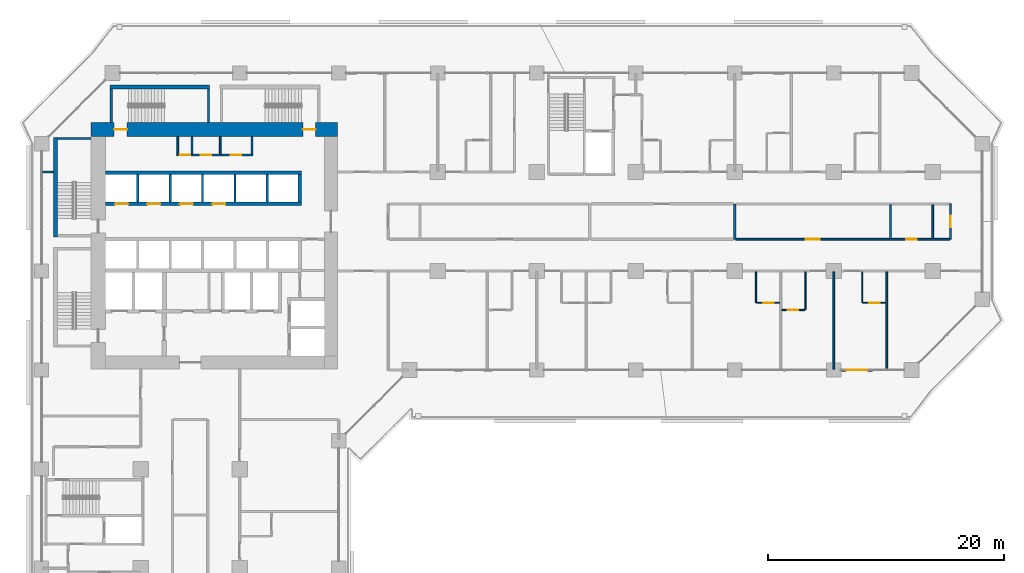
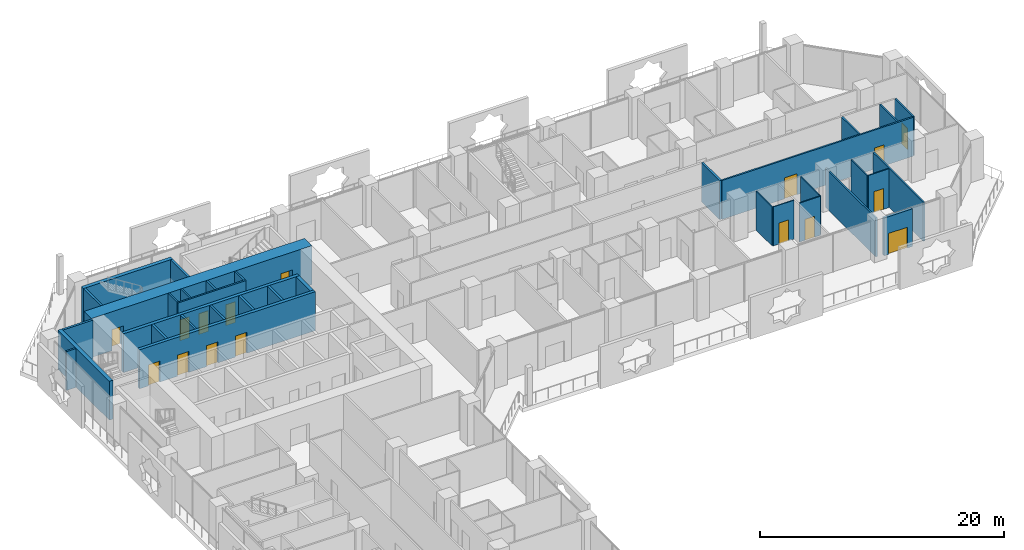
# One storey, part 17 of 26: 34 walls, 16 doors, 16 openings.
"""IFC4 building model written with IfcOpenShell, lengths in metres."""

import ifcopenshell
import ifcopenshell.guid

model = None  # the IFC model being written
_history = None  # IfcOwnerHistory: only IFC2X3 demands one
_inside = {}  # id of a spatial element -> (the spatial element, [elements in it])
_under = {}  # id of a project, library or spatial element -> (it, [spatial elements below it])
_declared = {}  # id of a project -> (the project, [libraries it declares])
_typed = {}  # id of a type object -> (the type object, [elements of that type])
_made_of = {}  # id of a material, layer set ... -> (it, [elements and type objects made of it])


def new_model(schema):
    """Start an empty IFC model of exactly this schema.

    Asked for "IFC4X3", IfcOpenShell would pick the latest addendum, in which some entities
    have other attributes; the version numbers below select the first issue.
    IFC2X3 requires an IfcOwnerHistory on every rooted entity: one is made here for all.
    """
    global model, _history
    if schema == "IFC4X3":
        model = ifcopenshell.file(schema_version=(4, 3, 0, 0))
    else:
        model = ifcopenshell.file(schema=schema)
    _inside.clear()
    _under.clear()
    _declared.clear()
    _typed.clear()
    _made_of.clear()
    _history = None
    if model.schema == "IFC2X3":
        org = make("IfcOrganization", Name="unknown")
        user = make(
            "IfcPersonAndOrganization",
            ThePerson=make("IfcPerson", FamilyName="unknown"),
            TheOrganization=org,
        )
        app = make(
            "IfcApplication",
            ApplicationDeveloper=org,
            Version="unknown",
            ApplicationFullName="unknown",
            ApplicationIdentifier="unknown",
        )
        _history = make(
            "IfcOwnerHistory",
            OwningUser=user,
            OwningApplication=app,
            ChangeAction="ADDED",
            CreationDate=0,
        )
    return model


def make(cls, **values):
    """One entity of the class cls with the attributes given. An attribute that is None is left unset."""
    return model.create_entity(
        cls, **{name: value for name, value in values.items() if value is not None}
    )


def rooted(cls, **values):
    """An entity with a GlobalId (a new one), such as an element, a storey or a relation."""
    return make(cls, GlobalId=ifcopenshell.guid.new(), OwnerHistory=_history, **values)


def si_unit(unit_type, name, prefix=None):
    """IfcSIUnit, for example si_unit("LENGTHUNIT", "METRE", prefix="MILLI")."""
    return make("IfcSIUnit", UnitType=unit_type, Prefix=prefix, Name=name)


def assignment(units):
    """IfcUnitAssignment: the units of a project."""
    return None if units is None else make("IfcUnitAssignment", Units=units)


def point(xyz):
    """IfcCartesianPoint."""
    return None if xyz is None else make("IfcCartesianPoint", Coordinates=xyz)


def direction(xyz):
    """IfcDirection."""
    return None if xyz is None else make("IfcDirection", DirectionRatios=xyz)


def frame(location, z_axis=None, x_axis=None):
    """IfcAxis2Placement3D, a coordinate frame: its origin and axes. An axis left out is left unset."""
    return make(
        "IfcAxis2Placement3D",
        Location=point(location),
        Axis=direction(z_axis),
        RefDirection=direction(x_axis),
    )


def frame_2d(location, x_axis=None):
    """IfcAxis2Placement2D, a coordinate frame in the plane: its origin and x axis."""
    return make(
        "IfcAxis2Placement2D", Location=point(location), RefDirection=direction(x_axis)
    )


def origin():
    """The frame at (0, 0, 0) with its axes left unset."""
    return frame((0.0, 0.0, 0.0))


def place(relative_to, where):
    """IfcLocalPlacement: puts the frame where relative to a parent placement (None: the world)."""
    return make(
        "IfcLocalPlacement", PlacementRelTo=relative_to, RelativePlacement=where
    )


def context(
    kind, dimensions, precision=None, world=None, true_north=None, identifier=None
):
    """IfcGeometricRepresentationContext, for example the 3D "Model" context."""
    return make(
        "IfcGeometricRepresentationContext",
        ContextIdentifier=identifier,
        ContextType=kind,
        CoordinateSpaceDimension=dimensions,
        Precision=precision,
        WorldCoordinateSystem=world,
        TrueNorth=true_north,
    )


def subcontext(parent, identifier, kind, view, scale=None):
    """IfcGeometricRepresentationSubContext, for example "Body" below "Model"."""
    return make(
        "IfcGeometricRepresentationSubContext",
        ContextIdentifier=identifier,
        ContextType=kind,
        ParentContext=parent,
        TargetScale=scale,
        TargetView=view,
    )


def project(units=None, contexts=None):
    """IfcProject with its units and contexts."""
    return rooted(
        "IfcProject",
        Name="project",
        RepresentationContexts=contexts,
        UnitsInContext=assignment(units),
    )


def spatial(cls, under=None, at=None, **own):
    """A site, building, storey or space (cls), placed at a placement, below another one or the project."""
    s = rooted(cls, ObjectPlacement=at, **own)
    if under is not None:
        _under.setdefault(under.id(), (under, []))[1].append(s)
    return s


def profile(cls, at=None, kind="AREA", **sizes):
    """A parametric profile (cls). Its sizes go by their IFC names, for example OverallWidth=200.0."""
    return make(cls, ProfileType=kind, Position=at, **sizes)


def rectangle(**sizes):
    """IfcRectangleProfileDef."""
    return profile("IfcRectangleProfileDef", **sizes)


def extrude(swept, where, along, depth):
    """IfcExtrudedAreaSolid: the profile swept, set in the frame where, extruded along a direction by depth."""
    return make(
        "IfcExtrudedAreaSolid",
        SweptArea=swept,
        Position=where,
        ExtrudedDirection=direction(along),
        Depth=depth,
    )


def shape(context_of_items, identifier, shape_type, items):
    """IfcShapeRepresentation: the items that make up one representation, for example the "Body"."""
    return make(
        "IfcShapeRepresentation",
        ContextOfItems=context_of_items,
        RepresentationIdentifier=identifier,
        RepresentationType=shape_type,
        Items=items,
    )


def material(Name=None, Category=None):
    """IfcMaterial."""
    return make("IfcMaterial", Name=Name, Category=Category)


def layer(
    of_material, thickness, ventilated=None, Name=None, Category=None, Priority=None
):
    """IfcMaterialLayer: one layer of a wall or slab, of a material (None: an air gap)."""
    return make(
        "IfcMaterialLayer",
        Material=of_material,
        LayerThickness=thickness,
        IsVentilated=ventilated,
        Name=Name,
        Category=Category,
        Priority=Priority,
    )


def layer_set(layers, Name=None):
    """IfcMaterialLayerSet."""
    return make("IfcMaterialLayerSet", MaterialLayers=layers, LayerSetName=Name)


def made_of(thing, what):
    """Note that an element or type object is made of a material, layer set ...; save() writes the relation."""
    if what is not None:
        _made_of.setdefault(what.id(), (what, []))[1].append(thing)
    return thing


def type_object(cls, material=None, **own):
    """A type object (cls), such as IfcWallType, which elements share."""
    return made_of(rooted(cls, **own), material)


def element(
    cls,
    number,
    at=None,
    inside=None,
    cuts=None,
    type_object=None,
    material=None,
    context=None,
    identifier="Body",
    shape_type=None,
    held_by="IfcProductDefinitionShape",
    body=None,
    shapes=None,
    **own,
):
    """One element of the class cls, such as IfcWall. Its Tag is "e" and its number.

    at: its placement. inside: the storey or other place that contains it. cuts: it is an
    opening in that element (IfcRelVoidsElement). A single representation is given by context,
    identifier, shape_type and body (its items); several are given by shapes. held_by: the class
    of the entity that holds the representations. save() writes the other relations.
    """
    e = rooted(cls, Tag="e%d" % number, ObjectPlacement=at, **own)
    if body is not None:
        shapes = [shape(context, identifier, shape_type, body)]
    if shapes is not None:
        e.Representation = make(held_by, Representations=shapes)
    if inside is not None:
        _inside.setdefault(inside.id(), (inside, []))[1].append(e)
    if cuts is not None:
        rooted(
            "IfcRelVoidsElement", RelatingBuildingElement=cuts, RelatedOpeningElement=e
        )
    if type_object is not None:
        _typed.setdefault(type_object.id(), (type_object, []))[1].append(e)
    return made_of(e, material)


def fill(opening, filler):
    """IfcRelFillsElement: the door or window that sits in an opening."""
    return rooted(
        "IfcRelFillsElement",
        RelatingOpeningElement=opening,
        RelatedBuildingElement=filler,
    )


def aggregate(whole, parts):
    """IfcRelAggregates: a whole, such as a stair, and the parts it consists of."""
    return rooted("IfcRelAggregates", RelatingObject=whole, RelatedObjects=parts)


def save(model, path):
    """Write the relations noted so far, then the file.

    IfcRelAggregates (storeys below a building ...), IfcRelContainedInSpatialStructure (elements
    in a storey), IfcRelDefinesByType, IfcRelAssociatesMaterial and IfcRelDeclares: one each for
    every whole, place, type object, material and project.
    """
    for whole, parts in _under.values():
        aggregate(whole, parts)
    for where, things in _inside.values():
        rooted(
            "IfcRelContainedInSpatialStructure",
            RelatedElements=things,
            RelatingStructure=where,
        )
    for kind, things in _typed.values():
        rooted("IfcRelDefinesByType", RelatedObjects=things, RelatingType=kind)
    for what, things in _made_of.values():
        rooted("IfcRelAssociatesMaterial", RelatedObjects=things, RelatingMaterial=what)
    for by, libraries in _declared.values():
        rooted("IfcRelDeclares", RelatingContext=by, RelatedDefinitions=libraries)
    model.write(path)


model = new_model("IFC4")

# Units and contexts
model_context = context("Model", 3, precision=1e-05, world=origin(), true_north=direction((0.0, 1.0)))
body_context = subcontext(model_context, "Body", "Model", "MODEL_VIEW")
ifc_project = project(units=[si_unit("LENGTHUNIT", "METRE"), si_unit("AREAUNIT", "SQUARE_METRE"), si_unit("VOLUMEUNIT", "CUBIC_METRE"), si_unit("PLANEANGLEUNIT", "RADIAN"), si_unit("MASSUNIT", "GRAM", prefix="KILO")], contexts=[model_context])

# Site, building, storey
site_placement = place(None, origin())
site = spatial("IfcSite", under=ifc_project, at=site_placement, CompositionType="ELEMENT")
building_placement = place(site_placement, origin())
building = spatial("IfcBuilding", under=site, at=building_placement, Name="Kawkab Arch Medical Tower", CompositionType="ELEMENT")
storey_placement = place(building_placement, frame((0.0, 0.0, 51.800048828125)))
storey = spatial("IfcBuildingStorey", under=building, at=storey_placement, Name="L11", CompositionType="ELEMENT", Elevation=51.800048828125)

# Wall, openings, doors
ifc_material_1 = material(Name="Concrete C60/75", Category="concrete")
ifc_layer_1 = layer(ifc_material_1, 1.199951171875)
ifc_layer_set_1 = layer_set([ifc_layer_1], Name="Concrete C60/75")
wall_type_1 = type_object("IfcWallType", Name="Core ring wall 1200 C60/75", PredefinedType="SHEAR", material=ifc_layer_set_1)
wall_1_placement = place(storey_placement, frame((4.199951171875, -4.800048828125, 0.0), z_axis=(0.0, 0.0, 1.0), x_axis=(1.0, 0.0, 0.0)))
wall_1 = element("IfcWall", 1, at=wall_1_placement, inside=storey, type_object=wall_type_1, Name="L11 core wall", PredefinedType="SHEAR", context=body_context, shape_type="SweptSolid", body=[
    extrude(rectangle(XDim=20.900146484375, YDim=1.199951171875, at=frame_2d((10.4501953125, 0.0))), origin(), (0.0, 0.0, 1.0), 3.89990234375),
])
opening_1_placement = place(wall_1_placement, frame((1.949951171875, 0.0, 0.0)))
opening_1 = element("IfcOpeningElement", 2, at=opening_1_placement, cuts=wall_1, Name="Opening SD", PredefinedType="OPENING", context=body_context, shape_type="SweptSolid", body=[
    extrude(rectangle(XDim=1.10009765625, YDim=2.10009765625, at=frame_2d((0.550048828125, 1.050048828125))), frame((0.0, 0.60986328125, 0.0), z_axis=(0.0, -1.0, 0.0), x_axis=(1.0, 0.0, 0.0)), (0.0, 0.0, 1.0), 1.219970703125),
])
opening_2_placement = place(wall_1_placement, frame((17.949951171875, 0.0, 0.0)))
opening_2 = element("IfcOpeningElement", 3, at=opening_2_placement, cuts=wall_1, Name="Opening SD", PredefinedType="OPENING", context=body_context, shape_type="SweptSolid", body=[
    extrude(rectangle(XDim=1.10009765625, YDim=2.10009765625, at=frame_2d((0.550048828125, 1.050048828125))), frame((0.0, 0.60986328125, 0.0), z_axis=(0.0, -1.0, 0.0), x_axis=(1.0, 0.0, 0.0)), (0.0, 0.0, 1.0), 1.219970703125),
])
ifc_material_2 = material(Name="Hollow metal fire door leaf")
door_type_1 = type_object("IfcDoorType", Name="Exit stair door 1100", OperationType="SINGLE_SWING_LEFT", PredefinedType="DOOR", material=ifc_material_2)
door_1_placement = place(opening_1_placement, origin())
door_1 = element("IfcDoor", 4, at=door_1_placement, inside=storey, type_object=door_type_1, Name="L11 Exit stair ST3 door", OperationType="SINGLE_SWING_LEFT", OverallHeight=2.10009765625, OverallWidth=1.10009765625, PredefinedType="DOOR", context=body_context, shape_type="SweptSolid", body=[
    extrude(rectangle(XDim=1.10009765625, YDim=2.10009765625, at=frame_2d((0.550048828125, 1.050048828125))), frame((0.0, 0.02490234375, 0.0), z_axis=(0.0, -1.0, 0.0), x_axis=(1.0, 0.0, 0.0)), (0.0, 0.0, 1.0), 0.050048828125),
])
fill(opening_1, door_1)
door_2_placement = place(opening_2_placement, origin())
door_2 = element("IfcDoor", 5, at=door_2_placement, inside=storey, type_object=door_type_1, Name="L11 Exit stair ST4 door", OperationType="SINGLE_SWING_LEFT", OverallHeight=2.10009765625, OverallWidth=1.10009765625, PredefinedType="DOOR", context=body_context, shape_type="SweptSolid", body=[
    extrude(rectangle(XDim=1.10009765625, YDim=2.10009765625, at=frame_2d((0.550048828125, 1.050048828125))), frame((0.0, 0.02490234375, 0.0), z_axis=(0.0, -1.0, 0.0), x_axis=(1.0, 0.0, 0.0)), (0.0, 0.0, 1.0), 0.050048828125),
])
fill(opening_2, door_2)

ifc_material_3 = material(Name="Gypsum board on steel studs", Category="steel")
ifc_layer_2 = layer(ifc_material_3, 0.14990234375)
ifc_layer_set_2 = layer_set([ifc_layer_2], Name="Gypsum board on steel studs")
wall_type_2 = type_object("IfcWallType", Name="Core room partition 150", PredefinedType="PARTITIONING", material=ifc_layer_set_2)
wall_2_placement = place(storey_placement, frame((11.47509765625, -6.949951171875, 0.0), z_axis=(0.0, 0.0, 1.0), x_axis=(1.0, 0.0, 0.0)))
wall_2 = element("IfcWall", 6, at=wall_2_placement, inside=storey, type_object=wall_type_2, Name="L11 core room partition", PredefinedType="PARTITIONING", context=body_context, shape_type="SweptSolid", body=[
    extrude(rectangle(XDim=6.449951171875, YDim=0.14990234375, at=frame_2d((3.22509765625, 0.0))), origin(), (0.0, 0.0, 1.0), 3.89990234375),
])
opening_3_placement = place(wall_2_placement, frame((0.22509765625, 0.0, 0.0)))
opening_3 = element("IfcOpeningElement", 7, at=opening_3_placement, cuts=wall_2, Name="Opening RD", PredefinedType="OPENING", context=body_context, shape_type="SweptSolid", body=[
    extrude(rectangle(XDim=0.89990234375, YDim=2.10009765625, at=frame_2d((0.449951171875, 1.050048828125))), frame((0.0, 0.0849609375, 0.0), z_axis=(0.0, -1.0, 0.0), x_axis=(1.0, 0.0, 0.0)), (0.0, 0.0, 1.0), 0.169921875),
])
opening_4_placement = place(wall_2_placement, frame((2.02490234375, 0.0, 0.0)))
opening_4 = element("IfcOpeningElement", 8, at=opening_4_placement, cuts=wall_2, Name="Opening RD", PredefinedType="OPENING", context=body_context, shape_type="SweptSolid", body=[
    extrude(rectangle(XDim=0.89990234375, YDim=2.10009765625, at=frame_2d((0.449951171875, 1.050048828125))), frame((0.0, 0.0849609375, 0.0), z_axis=(0.0, -1.0, 0.0), x_axis=(1.0, 0.0, 0.0)), (0.0, 0.0, 1.0), 0.169921875),
])
opening_5_placement = place(wall_2_placement, frame((4.574951171875, 0.0, 0.0)))
opening_5 = element("IfcOpeningElement", 9, at=opening_5_placement, cuts=wall_2, Name="Opening RD", PredefinedType="OPENING", context=body_context, shape_type="SweptSolid", body=[
    extrude(rectangle(XDim=0.89990234375, YDim=2.10009765625, at=frame_2d((0.449951171875, 1.050048828125))), frame((0.0, 0.0849609375, 0.0), z_axis=(0.0, -1.0, 0.0), x_axis=(1.0, 0.0, 0.0)), (0.0, 0.0, 1.0), 0.169921875),
])
ifc_material_4 = material(Name="Hollow metal fire door leaf")
door_type_2 = type_object("IfcDoorType", Name="Core room door 900", OperationType="SINGLE_SWING_LEFT", PredefinedType="DOOR", material=ifc_material_4)
door_3_placement = place(opening_3_placement, origin())
door_3 = element("IfcDoor", 10, at=door_3_placement, inside=storey, type_object=door_type_2, Name="L11 Electrical riser room door", OperationType="SINGLE_SWING_LEFT", OverallHeight=2.10009765625, OverallWidth=0.89990234375, PredefinedType="DOOR", context=body_context, shape_type="SweptSolid", body=[
    extrude(rectangle(XDim=0.89990234375, YDim=2.10009765625, at=frame_2d((0.449951171875, 1.050048828125))), frame((0.0, 0.02490234375, 0.0), z_axis=(0.0, -1.0, 0.0), x_axis=(1.0, 0.0, 0.0)), (0.0, 0.0, 1.0), 0.050048828125),
])
fill(opening_3, door_3)
door_4_placement = place(opening_4_placement, origin())
door_4 = element("IfcDoor", 11, at=door_4_placement, inside=storey, type_object=door_type_2, Name="L11 Linen store door", OperationType="SINGLE_SWING_LEFT", OverallHeight=2.10009765625, OverallWidth=0.89990234375, PredefinedType="DOOR", context=body_context, shape_type="SweptSolid", body=[
    extrude(rectangle(XDim=0.89990234375, YDim=2.10009765625, at=frame_2d((0.449951171875, 1.050048828125))), frame((0.0, 0.02490234375, 0.0), z_axis=(0.0, -1.0, 0.0), x_axis=(1.0, 0.0, 0.0)), (0.0, 0.0, 1.0), 0.050048828125),
])
fill(opening_4, door_4)
door_5_placement = place(opening_5_placement, origin())
door_5 = element("IfcDoor", 12, at=door_5_placement, inside=storey, type_object=door_type_2, Name="L11 Clean utility room door", OperationType="SINGLE_SWING_LEFT", OverallHeight=2.10009765625, OverallWidth=0.89990234375, PredefinedType="DOOR", context=body_context, shape_type="SweptSolid", body=[
    extrude(rectangle(XDim=0.89990234375, YDim=2.10009765625, at=frame_2d((0.449951171875, 1.050048828125))), frame((0.0, 0.02490234375, 0.0), z_axis=(0.0, -1.0, 0.0), x_axis=(1.0, 0.0, 0.0)), (0.0, 0.0, 1.0), 0.050048828125),
])
fill(opening_5, door_5)

# Walls
for number, where, z_axis, x_axis, name in (
    (13, (11.550048828125, -6.875, 0.0), (0.0, 0.0, 1.0), (0.0, 1.0, 0.0), "L11 core room partition"),
    (14, (12.75, -6.875, 0.0), (0.0, 0.0, 1.0), (0.0, 1.0, 0.0), "L11 core room partition"),
    (15, (15.14990234375, -6.875, 0.0), (0.0, 0.0, 1.0), (0.0, 1.0, 0.0), "L11 core room partition"),
    (16, (17.85009765625, -6.875, 0.0), (0.0, 0.0, 1.0), (0.0, 1.0, 0.0), "L11 core room partition"),
):
    element("IfcWall", number, at=place(storey_placement, frame(where, z_axis=z_axis, x_axis=x_axis)), inside=storey, type_object=wall_type_2, Name=name, PredefinedType="PARTITIONING", context=body_context, shape_type="SweptSolid", body=[
        extrude(rectangle(XDim=1.47509765625, YDim=0.14990234375, at=frame_2d((0.737548828125, 0.0))), origin(), (0.0, 0.0, 1.0), 3.89990234375),
    ])
ifc_material_5 = material(Name="Concrete C60/75", Category="concrete")
ifc_layer_3 = layer(ifc_material_5, 0.300048828125)
ifc_layer_set_3 = layer_set([ifc_layer_3], Name="Concrete C60/75")
wall_type_3 = type_object("IfcWallType", Name="Core shear wall 300 C60/75", PredefinedType="SHEAR", material=ifc_layer_set_3)
wall_3_placement = place(storey_placement, frame((5.39990234375, -8.449951171875, 0.0), z_axis=(0.0, 0.0, 1.0), x_axis=(1.0, 0.0, 0.0)))
element("IfcWall", 17, at=wall_3_placement, inside=storey, type_object=wall_type_3, Name="L11 core shear wall", PredefinedType="SHEAR", context=body_context, shape_type="SweptSolid", body=[
    extrude(rectangle(XDim=16.650146484375, YDim=0.300048828125, at=frame_2d((8.3251953125, 0.0))), origin(), (0.0, 0.0, 1.0), 3.89990234375),
])

# Wall, openings, doors
wall_4_placement = place(storey_placement, frame((5.39990234375, -11.10009765625, 0.0), z_axis=(0.0, 0.0, 1.0), x_axis=(1.0, 0.0, 0.0)))
wall_4 = element("IfcWall", 18, at=wall_4_placement, inside=storey, type_object=wall_type_3, Name="L11 core shear wall", PredefinedType="SHEAR", context=body_context, shape_type="SweptSolid", body=[
    extrude(rectangle(XDim=16.650146484375, YDim=0.300048828125, at=frame_2d((8.3251953125, 0.0))), origin(), (0.0, 0.0, 1.0), 3.89990234375),
])
opening_6_placement = place(wall_4_placement, frame((0.824951171875, 0.0, 0.0)))
opening_6 = element("IfcOpeningElement", 19, at=opening_6_placement, cuts=wall_4, Name="Opening LD1", PredefinedType="OPENING", context=body_context, shape_type="SweptSolid", body=[
    extrude(rectangle(XDim=1.10009765625, YDim=2.10009765625, at=frame_2d((0.550048828125, 1.050048828125))), frame((0.0, 0.159912109375, 0.0), z_axis=(0.0, -1.0, 0.0), x_axis=(1.0, 0.0, 0.0)), (0.0, 0.0, 1.0), 0.320068359375),
])
opening_7_placement = place(wall_4_placement, frame((3.574951171875, 0.0, 0.0)))
opening_7 = element("IfcOpeningElement", 20, at=opening_7_placement, cuts=wall_4, Name="Opening LD1", PredefinedType="OPENING", context=body_context, shape_type="SweptSolid", body=[
    extrude(rectangle(XDim=1.10009765625, YDim=2.10009765625, at=frame_2d((0.550048828125, 1.050048828125))), frame((0.0, 0.159912109375, 0.0), z_axis=(0.0, -1.0, 0.0), x_axis=(1.0, 0.0, 0.0)), (0.0, 0.0, 1.0), 0.320068359375),
])
opening_8_placement = place(wall_4_placement, frame((6.324951171875, 0.0, 0.0)))
opening_8 = element("IfcOpeningElement", 21, at=opening_8_placement, cuts=wall_4, Name="Opening LD1", PredefinedType="OPENING", context=body_context, shape_type="SweptSolid", body=[
    extrude(rectangle(XDim=1.10009765625, YDim=2.10009765625, at=frame_2d((0.550048828125, 1.050048828125))), frame((0.0, 0.159912109375, 0.0), z_axis=(0.0, -1.0, 0.0), x_axis=(1.0, 0.0, 0.0)), (0.0, 0.0, 1.0), 0.320068359375),
])
opening_9_placement = place(wall_4_placement, frame((9.074951171875, 0.0, 0.0)))
opening_9 = element("IfcOpeningElement", 22, at=opening_9_placement, cuts=wall_4, Name="Opening LD1", PredefinedType="OPENING", context=body_context, shape_type="SweptSolid", body=[
    extrude(rectangle(XDim=1.10009765625, YDim=2.10009765625, at=frame_2d((0.550048828125, 1.050048828125))), frame((0.0, 0.159912109375, 0.0), z_axis=(0.0, -1.0, 0.0), x_axis=(1.0, 0.0, 0.0)), (0.0, 0.0, 1.0), 0.320068359375),
])
ifc_material_6 = material(Name="Stainless steel lift door leaf", Category="steel")
door_type_3 = type_object("IfcDoorType", Name="Lift landing door 1100", OperationType="DOUBLE_DOOR_SLIDING", PredefinedType="DOOR", material=ifc_material_6)
door_6_placement = place(opening_6_placement, origin())
door_6 = element("IfcDoor", 23, at=door_6_placement, inside=storey, type_object=door_type_3, Name="L11 Lift landing door LP1", OperationType="DOUBLE_DOOR_SLIDING", OverallHeight=2.10009765625, OverallWidth=1.10009765625, PredefinedType="DOOR", context=body_context, shape_type="SweptSolid", body=[
    extrude(rectangle(XDim=1.10009765625, YDim=2.10009765625, at=frame_2d((0.550048828125, 1.050048828125))), frame((0.0, 0.02490234375, 0.0), z_axis=(0.0, -1.0, 0.0), x_axis=(1.0, 0.0, 0.0)), (0.0, 0.0, 1.0), 0.050048828125),
])
fill(opening_6, door_6)
door_7_placement = place(opening_7_placement, origin())
door_7 = element("IfcDoor", 24, at=door_7_placement, inside=storey, type_object=door_type_3, Name="L11 Lift landing door LP2", OperationType="DOUBLE_DOOR_SLIDING", OverallHeight=2.10009765625, OverallWidth=1.10009765625, PredefinedType="DOOR", context=body_context, shape_type="SweptSolid", body=[
    extrude(rectangle(XDim=1.10009765625, YDim=2.10009765625, at=frame_2d((0.550048828125, 1.050048828125))), frame((0.0, 0.02490234375, 0.0), z_axis=(0.0, -1.0, 0.0), x_axis=(1.0, 0.0, 0.0)), (0.0, 0.0, 1.0), 0.050048828125),
])
fill(opening_7, door_7)
door_8_placement = place(opening_8_placement, origin())
door_8 = element("IfcDoor", 25, at=door_8_placement, inside=storey, type_object=door_type_3, Name="L11 Lift landing door LP3", OperationType="DOUBLE_DOOR_SLIDING", OverallHeight=2.10009765625, OverallWidth=1.10009765625, PredefinedType="DOOR", context=body_context, shape_type="SweptSolid", body=[
    extrude(rectangle(XDim=1.10009765625, YDim=2.10009765625, at=frame_2d((0.550048828125, 1.050048828125))), frame((0.0, 0.02490234375, 0.0), z_axis=(0.0, -1.0, 0.0), x_axis=(1.0, 0.0, 0.0)), (0.0, 0.0, 1.0), 0.050048828125),
])
fill(opening_8, door_8)
door_9_placement = place(opening_9_placement, origin())
door_9 = element("IfcDoor", 26, at=door_9_placement, inside=storey, type_object=door_type_3, Name="L11 Lift landing door LP4", OperationType="DOUBLE_DOOR_SLIDING", OverallHeight=2.10009765625, OverallWidth=1.10009765625, PredefinedType="DOOR", context=body_context, shape_type="SweptSolid", body=[
    extrude(rectangle(XDim=1.10009765625, YDim=2.10009765625, at=frame_2d((0.550048828125, 1.050048828125))), frame((0.0, 0.02490234375, 0.0), z_axis=(0.0, -1.0, 0.0), x_axis=(1.0, 0.0, 0.0)), (0.0, 0.0, 1.0), 0.050048828125),
])
fill(opening_9, door_9)

# Wall
wall_5_placement = place(storey_placement, frame((21.89990234375, -10.949951171875, 0.0), z_axis=(0.0, 0.0, 1.0), x_axis=(0.0, 1.0, 0.0)))
element("IfcWall", 27, at=wall_5_placement, inside=storey, type_object=wall_type_3, Name="L11 core shear wall", PredefinedType="SHEAR", context=body_context, shape_type="SweptSolid", body=[
    extrude(rectangle(XDim=2.349853515625, YDim=0.300048828125, at=frame_2d((1.1748046875, 0.0))), origin(), (0.0, 0.0, 1.0), 3.89990234375),
])

# Wall, opening, door
ifc_material_7 = material(Name="Bronze clad insulated wall panel")
ifc_layer_4 = layer(ifc_material_7, 0.25)
ifc_layer_set_4 = layer_set([ifc_layer_4], Name="Bronze clad insulated wall panel")
wall_type_4 = type_object("IfcWallType", Name="External wall bay 250", PredefinedType="SOLIDWALL", material=ifc_layer_set_4)
wall_6_placement = place(storey_placement, frame((67.800048828125, -25.199951171875, 0.0), z_axis=(0.0, 0.0, 1.0), x_axis=(1.0, 0.0, 0.0)))
wall_6 = element("IfcWall", 28, at=wall_6_placement, inside=storey, type_object=wall_type_4, Name="External wall bay L11.R07.5.1", PredefinedType="SOLIDWALL", context=body_context, shape_type="SweptSolid", body=[
    extrude(rectangle(XDim=2.6875, YDim=0.25, at=frame_2d((1.34375, 0.0))), origin(), (0.0, 0.0, 1.0), 3.780029296875),
])
opening_10_placement = place(wall_6_placement, frame((0.443603515625, 0.0, 0.0)))
opening_10 = element("IfcOpeningElement", 29, at=opening_10_placement, cuts=wall_6, Name="Opening W11-701", PredefinedType="OPENING", context=body_context, shape_type="SweptSolid", body=[
    extrude(rectangle(XDim=1.800048828125, YDim=2.10009765625, at=frame_2d((0.89990234375, 1.050048828125))), frame((0.0, 0.135009765625, 0.0), z_axis=(0.0, -1.0, 0.0), x_axis=(1.0, 0.0, 0.0)), (0.0, 0.0, 1.0), 0.27001953125),
])
ifc_material_8 = material(Name="Bronze anodised aluminium door with tinted glass", Category="aluminium")
door_type_4 = type_object("IfcDoorType", Name="Double external door 1800 x 2100", OperationType="DOUBLE_DOOR_SINGLE_SWING", PredefinedType="DOOR", material=ifc_material_8)
door_10_placement = place(opening_10_placement, origin())
door_10 = element("IfcDoor", 30, at=door_10_placement, inside=storey, type_object=door_type_4, Name="External door L11.R07.5.1", OperationType="DOUBLE_DOOR_SINGLE_SWING", OverallHeight=2.10009765625, OverallWidth=1.800048828125, PredefinedType="DOOR", context=body_context, shape_type="SweptSolid", body=[
    extrude(rectangle(XDim=1.800048828125, YDim=2.10009765625, at=frame_2d((0.89990234375, 1.050048828125))), frame((0.0, 0.02490234375, 0.0), z_axis=(0.0, -1.0, 0.0), x_axis=(1.0, 0.0, 0.0)), (0.0, 0.0, 1.0), 0.050048828125),
])
fill(opening_10, door_10)

# Walls
ifc_material_9 = material(Name="Dense concrete blockwork", Category="masonry")
ifc_layer_5 = layer(ifc_material_9, 0.199951171875)
ifc_layer_set_5 = layer_set([ifc_layer_5], Name="Dense concrete blockwork")
wall_type_5 = type_object("IfcWallType", Name="Lift shaft partition 200", PredefinedType="PARTITIONING", material=ifc_layer_set_5)
for number, where, z_axis, x_axis, name in (
    (31, (8.14990234375, -10.949951171875, 0.0), (0.0, 0.0, 1.0), (0.0, 1.0, 0.0), "L11 lift shaft partition"),
    (32, (10.89990234375, -10.949951171875, 0.0), (0.0, 0.0, 1.0), (0.0, 1.0, 0.0), "L11 lift shaft partition"),
    (33, (13.64990234375, -10.949951171875, 0.0), (0.0, 0.0, 1.0), (0.0, 1.0, 0.0), "L11 lift shaft partition"),
    (34, (16.39990234375, -10.949951171875, 0.0), (0.0, 0.0, 1.0), (0.0, 1.0, 0.0), "L11 lift shaft partition"),
    (35, (19.14990234375, -10.949951171875, 0.0), (0.0, 0.0, 1.0), (0.0, 1.0, 0.0), "L11 lift shaft partition"),
):
    element("IfcWall", number, at=place(storey_placement, frame(where, z_axis=z_axis, x_axis=x_axis)), inside=storey, type_object=wall_type_5, Name=name, PredefinedType="PARTITIONING", context=body_context, shape_type="SweptSolid", body=[
        extrude(rectangle(XDim=2.349853515625, YDim=0.199951171875, at=frame_2d((1.1748046875, 0.0))), origin(), (0.0, 0.0, 1.0), 3.89990234375),
    ])

# Wall, opening, door
ifc_material_10 = material(Name="Gypsum board partition on steel studs", Category="steel")
ifc_layer_6 = layer(ifc_material_10, 0.10009765625)
ifc_layer_set_6 = layer_set([ifc_layer_6], Name="Gypsum board partition on steel studs")
wall_type_6 = type_object("IfcWallType", Name="Partition 100", PredefinedType="PARTITIONING", material=ifc_layer_set_6)
wall_7_placement = place(storey_placement, frame((62.77490234375, -20.10009765625, 0.0), z_axis=(0.0, 0.0, 1.0), x_axis=(1.0, 0.0, 0.0)))
wall_7 = element("IfcWall", 36, at=wall_7_placement, inside=storey, type_object=wall_type_6, Name="Partition 100 w011", PredefinedType="PARTITIONING", context=body_context, shape_type="SweptSolid", body=[
    extrude(rectangle(XDim=1.97509765625, YDim=0.10009765625, at=frame_2d((0.987548828125, 0.0))), origin(), (0.0, 0.0, 1.0), 3.89990234375),
])
opening_11_placement = place(wall_7_placement, frame((0.52490234375, 0.0, 0.0)))
opening_11 = element("IfcOpeningElement", 37, at=opening_11_placement, cuts=wall_7, Name="Opening W11-015", PredefinedType="OPENING", context=body_context, shape_type="SweptSolid", body=[
    extrude(rectangle(XDim=0.89990234375, YDim=2.10009765625, at=frame_2d((0.449951171875, 1.050048828125))), frame((0.0, 0.06005859375, 0.0), z_axis=(0.0, -1.0, 0.0), x_axis=(1.0, 0.0, 0.0)), (0.0, 0.0, 1.0), 0.1201171875),
])
ifc_material_11 = material(Name="Timber door leaf", Category="wood")
door_type_5 = type_object("IfcDoorType", Name="Single door 900x2100", OperationType="NOTDEFINED", PredefinedType="DOOR", material=ifc_material_11)
door_11_placement = place(opening_11_placement, origin())
door_11 = element("IfcDoor", 38, at=door_11_placement, inside=storey, type_object=door_type_5, Name="Door W11-015", OperationType="SINGLE_SWING_RIGHT", OverallHeight=2.10009765625, OverallWidth=0.89990234375, PredefinedType="DOOR", context=body_context, shape_type="SweptSolid", body=[
    extrude(rectangle(XDim=0.89990234375, YDim=2.10009765625, at=frame_2d((0.449951171875, 1.050048828125))), frame((0.0, 0.02490234375, 0.0), z_axis=(0.0, -1.0, 0.0), x_axis=(1.0, 0.0, 0.0)), (0.0, 0.0, 1.0), 0.050048828125),
])
fill(opening_11, door_11)

wall_8_placement = place(storey_placement, frame((60.652099609375, -19.5, 0.0), z_axis=(0.0, 0.0, 1.0), x_axis=(1.0, 0.0, 0.0)))
wall_8 = element("IfcWall", 39, at=wall_8_placement, inside=storey, type_object=wall_type_6, Name="Partition 100 w014", PredefinedType="PARTITIONING", context=body_context, shape_type="SweptSolid", body=[
    extrude(rectangle(XDim=1.972900390625, YDim=0.10009765625, at=frame_2d((0.986328125, 0.0))), origin(), (0.0, 0.0, 1.0), 3.89990234375),
])
opening_12_placement = place(wall_8_placement, frame((0.549072265625, 0.0, 0.0)))
opening_12 = element("IfcOpeningElement", 40, at=opening_12_placement, cuts=wall_8, Name="Opening W11-014", PredefinedType="OPENING", context=body_context, shape_type="SweptSolid", body=[
    extrude(rectangle(XDim=0.89990234375, YDim=2.10009765625, at=frame_2d((0.449951171875, 1.050048828125))), frame((0.0, 0.06005859375, 0.0), z_axis=(0.0, -1.0, 0.0), x_axis=(1.0, 0.0, 0.0)), (0.0, 0.0, 1.0), 0.1201171875),
])
door_12_placement = place(opening_12_placement, origin())
door_12 = element("IfcDoor", 41, at=door_12_placement, inside=storey, type_object=door_type_5, Name="Door W11-014", OperationType="SINGLE_SWING_RIGHT", OverallHeight=2.10009765625, OverallWidth=0.89990234375, PredefinedType="DOOR", context=body_context, shape_type="SweptSolid", body=[
    extrude(rectangle(XDim=0.89990234375, YDim=2.10009765625, at=frame_2d((0.449951171875, 1.050048828125))), frame((0.0, 0.02490234375, 0.0), z_axis=(0.0, -1.0, 0.0), x_axis=(1.0, 0.0, 0.0)), (0.0, 0.0, 1.0), 0.050048828125),
])
fill(opening_12, door_12)

wall_9_placement = place(storey_placement, frame((69.64990234375, -19.5, 0.0), z_axis=(0.0, 0.0, 1.0), x_axis=(1.0, 0.0, 0.0)))
wall_9 = element("IfcWall", 42, at=wall_9_placement, inside=storey, type_object=wall_type_6, Name="Partition 100 w015", PredefinedType="PARTITIONING", context=body_context, shape_type="SweptSolid", body=[
    extrude(rectangle(XDim=1.97509765625, YDim=0.10009765625, at=frame_2d((0.987548828125, 0.0))), origin(), (0.0, 0.0, 1.0), 3.89990234375),
])
opening_13_placement = place(wall_9_placement, frame((0.550048828125, 0.0, 0.0)))
opening_13 = element("IfcOpeningElement", 43, at=opening_13_placement, cuts=wall_9, Name="Opening W11-016", PredefinedType="OPENING", context=body_context, shape_type="SweptSolid", body=[
    extrude(rectangle(XDim=0.89990234375, YDim=2.10009765625, at=frame_2d((0.449951171875, 1.050048828125))), frame((0.0, 0.06005859375, 0.0), z_axis=(0.0, -1.0, 0.0), x_axis=(1.0, 0.0, 0.0)), (0.0, 0.0, 1.0), 0.1201171875),
])
door_13_placement = place(opening_13_placement, origin())
door_13 = element("IfcDoor", 44, at=door_13_placement, inside=storey, type_object=door_type_5, Name="Door W11-016", OperationType="SINGLE_SWING_RIGHT", OverallHeight=2.10009765625, OverallWidth=0.89990234375, PredefinedType="DOOR", context=body_context, shape_type="SweptSolid", body=[
    extrude(rectangle(XDim=0.89990234375, YDim=2.10009765625, at=frame_2d((0.449951171875, 1.050048828125))), frame((0.0, 0.02490234375, 0.0), z_axis=(0.0, -1.0, 0.0), x_axis=(1.0, 0.0, 0.0)), (0.0, 0.0, 1.0), 0.050048828125),
])
fill(opening_13, door_13)

# Walls
wall_10_placement = place(storey_placement, frame((60.60009765625, -19.4990234375, 0.0), z_axis=(0.0, 0.0, 1.0), x_axis=(0.0, 1.0, 0.0)))
element("IfcWall", 45, at=wall_10_placement, inside=storey, type_object=wall_type_6, Name="Partition 100 w034", PredefinedType="PARTITIONING", context=body_context, shape_type="SweptSolid", body=[
    extrude(rectangle(XDim=2.6240234375, YDim=0.10009765625, at=frame_2d((1.31201171875, 0.0))), origin(), (0.0, 0.0, 1.0), 3.89990234375),
])
wall_11_placement = place(storey_placement, frame((64.800048828125, -20.10009765625, 0.0), z_axis=(0.0, 0.0, 1.0), x_axis=(0.0, 1.0, 0.0)))
element("IfcWall", 46, at=wall_11_placement, inside=storey, type_object=wall_type_6, Name="Partition 100 w036", PredefinedType="PARTITIONING", context=body_context, shape_type="SweptSolid", body=[
    extrude(rectangle(XDim=3.22509765625, YDim=0.10009765625, at=frame_2d((1.612548828125, 0.0))), origin(), (0.0, 0.0, 1.0), 3.89990234375),
])
wall_12_placement = place(storey_placement, frame((69.60009765625, -19.5, 0.0), z_axis=(0.0, 0.0, 1.0), x_axis=(0.0, 1.0, 0.0)))
element("IfcWall", 47, at=wall_12_placement, inside=storey, type_object=wall_type_6, Name="Partition 100 w038", PredefinedType="PARTITIONING", context=body_context, shape_type="SweptSolid", body=[
    extrude(rectangle(XDim=2.625, YDim=0.10009765625, at=frame_2d((1.3125, 0.0))), origin(), (0.0, 0.0, 1.0), 3.89990234375),
])

# Wall, openings, doors
ifc_material_12 = material(Name="Gypsum board partition on steel studs, mineral wool", Category="steel")
ifc_layer_7 = layer(ifc_material_12, 0.14990234375)
ifc_layer_set_7 = layer_set([ifc_layer_7], Name="Gypsum board partition on steel studs, mineral wool")
wall_type_7 = type_object("IfcWallType", Name="Partition 150", PredefinedType="PARTITIONING", material=ifc_layer_set_7)
wall_13_placement = place(storey_placement, frame((58.89990234375, -14.10009765625, 0.0), z_axis=(0.0, 0.0, 1.0), x_axis=(1.0, 0.0, 0.0)))
wall_13 = element("IfcWall", 48, at=wall_13_placement, inside=storey, type_object=wall_type_7, Name="Partition 150 w064", PredefinedType="PARTITIONING", context=body_context, shape_type="SweptSolid", body=[
    extrude(rectangle(XDim=18.125, YDim=0.14990234375, at=frame_2d((9.0625, 0.0))), origin(), (0.0, 0.0, 1.0), 3.89990234375),
])
opening_14_placement = place(wall_13_placement, frame((5.89990234375, 0.0, 0.0)))
opening_14 = element("IfcOpeningElement", 49, at=opening_14_placement, cuts=wall_13, Name="Opening W11-052", PredefinedType="OPENING", context=body_context, shape_type="SweptSolid", body=[
    extrude(rectangle(XDim=1.199951171875, YDim=2.10009765625, at=frame_2d((0.60009765625, 1.050048828125))), frame((0.0, 0.0849609375, 0.0), z_axis=(0.0, -1.0, 0.0), x_axis=(1.0, 0.0, 0.0)), (0.0, 0.0, 1.0), 0.169921875),
])
opening_15_placement = place(wall_13_placement, frame((14.449951171875, 0.0, 0.0)))
opening_15 = element("IfcOpeningElement", 50, at=opening_15_placement, cuts=wall_13, Name="Opening W11-010", PredefinedType="OPENING", context=body_context, shape_type="SweptSolid", body=[
    extrude(rectangle(XDim=0.89990234375, YDim=2.10009765625, at=frame_2d((0.449951171875, 1.050048828125))), frame((0.0, 0.0849609375, 0.0), z_axis=(0.0, -1.0, 0.0), x_axis=(1.0, 0.0, 0.0)), (0.0, 0.0, 1.0), 0.169921875),
])
ifc_material_13 = material(Name="Hollow metal door leaf")
door_type_6 = type_object("IfcDoorType", Name="Single door 1200x2100 FD30S", OperationType="NOTDEFINED", PredefinedType="DOOR", material=ifc_material_13)
door_14_placement = place(opening_14_placement, origin())
door_14 = element("IfcDoor", 51, at=door_14_placement, inside=storey, type_object=door_type_6, Name="Door W11-052", OperationType="SINGLE_SWING_LEFT", OverallHeight=2.10009765625, OverallWidth=1.199951171875, PredefinedType="DOOR", context=body_context, shape_type="SweptSolid", body=[
    extrude(rectangle(XDim=1.199951171875, YDim=2.10009765625, at=frame_2d((0.60009765625, 1.050048828125))), frame((0.0, 0.02490234375, 0.0), z_axis=(0.0, -1.0, 0.0), x_axis=(1.0, 0.0, 0.0)), (0.0, 0.0, 1.0), 0.050048828125),
])
fill(opening_14, door_14)
door_15_placement = place(opening_15_placement, origin())
door_15 = element("IfcDoor", 52, at=door_15_placement, inside=storey, type_object=door_type_5, Name="Door W11-010", OperationType="SINGLE_SWING_RIGHT", OverallHeight=2.10009765625, OverallWidth=0.89990234375, PredefinedType="DOOR", context=body_context, shape_type="SweptSolid", body=[
    extrude(rectangle(XDim=0.89990234375, YDim=2.10009765625, at=frame_2d((0.449951171875, 1.050048828125))), frame((0.0, 0.02490234375, 0.0), z_axis=(0.0, -1.0, 0.0), x_axis=(1.0, 0.0, 0.0)), (0.0, 0.0, 1.0), 0.050048828125),
])
fill(opening_15, door_15)

# Walls
wall_14_placement = place(storey_placement, frame((0.080078125, -8.39990234375, 0.0), z_axis=(0.0, 0.0, 1.0), x_axis=(1.0, 0.0, 0.0)))
element("IfcWall", 53, at=wall_14_placement, inside=storey, type_object=wall_type_7, Name="Partition 150 w067", PredefinedType="PARTITIONING", context=body_context, shape_type="SweptSolid", body=[
    extrude(rectangle(XDim=0.889892578125, YDim=0.14990234375, at=frame_2d((0.44482421875, 0.0))), origin(), (0.0, 0.0, 1.0), 3.89990234375),
])
for number, where, z_axis, x_axis, name in (
    (54, (67.199951171875, -25.1201171875, 0.0), (0.0, 0.0, 1.0), (0.0, 1.0, 0.0), "Partition 150 w098"),
    (55, (71.699951171875, -25.1201171875, 0.0), (0.0, 0.0, 1.0), (0.0, 1.0, 0.0), "Partition 150 w100"),
):
    element("IfcWall", number, at=place(storey_placement, frame(where, z_axis=z_axis, x_axis=x_axis)), inside=storey, type_object=wall_type_7, Name=name, PredefinedType="PARTITIONING", context=body_context, shape_type="SweptSolid", body=[
        extrude(rectangle(XDim=8.2451171875, YDim=0.14990234375, at=frame_2d((4.12255859375, 0.0))), origin(), (0.0, 0.0, 1.0), 3.89990234375),
    ])
for number, where, z_axis, x_axis, name in (
    (56, (72.0, -14.02490234375, 0.0), (0.0, 0.0, 1.0), (0.0, 1.0, 0.0), "Partition 150 w101"),
    (57, (75.60009765625, -14.02490234375, 0.0), (0.0, 0.0, 1.0), (0.0, 1.0, 0.0), "Partition 150 w102"),
):
    element("IfcWall", number, at=place(storey_placement, frame(where, z_axis=z_axis, x_axis=x_axis)), inside=storey, type_object=wall_type_7, Name=name, PredefinedType="PARTITIONING", context=body_context, shape_type="SweptSolid", body=[
        extrude(rectangle(XDim=2.849853515625, YDim=0.14990234375, at=frame_2d((1.4248046875, 0.0))), origin(), (0.0, 0.0, 1.0), 3.89990234375),
    ])

# Wall, opening, door
wall_15_placement = place(storey_placement, frame((77.10009765625, -14.10009765625, 0.0), z_axis=(0.0, 0.0, 1.0), x_axis=(0.0, 1.0, 0.0)))
wall_15 = element("IfcWall", 58, at=wall_15_placement, inside=storey, type_object=wall_type_7, Name="Partition 150 w103", PredefinedType="PARTITIONING", context=body_context, shape_type="SweptSolid", body=[
    extrude(rectangle(XDim=3.0, YDim=0.14990234375, at=frame_2d((1.5, 0.0))), origin(), (0.0, 0.0, 1.0), 3.89990234375),
])
opening_16_placement = place(wall_15_placement, frame((1.0, 0.0, 0.0)))
opening_16 = element("IfcOpeningElement", 59, at=opening_16_placement, cuts=wall_15, Name="Opening W11-032", PredefinedType="OPENING", context=body_context, shape_type="SweptSolid", body=[
    extrude(rectangle(XDim=1.0, YDim=2.10009765625, at=frame_2d((0.5, 1.050048828125))), frame((0.0, 0.0849609375, 0.0), z_axis=(0.0, -1.0, 0.0), x_axis=(1.0, 0.0, 0.0)), (0.0, 0.0, 1.0), 0.169921875),
])
ifc_material_14 = material(Name="Hollow metal door leaf")
door_type_7 = type_object("IfcDoorType", Name="Single door 1000x2100 FD30S", OperationType="NOTDEFINED", PredefinedType="DOOR", material=ifc_material_14)
door_16_placement = place(opening_16_placement, origin())
door_16 = element("IfcDoor", 60, at=door_16_placement, inside=storey, type_object=door_type_7, Name="Door W11-032", OperationType="SINGLE_SWING_RIGHT", OverallHeight=2.10009765625, OverallWidth=1.0, PredefinedType="DOOR", context=body_context, shape_type="SweptSolid", body=[
    extrude(rectangle(XDim=1.0, YDim=2.10009765625, at=frame_2d((0.5, 1.050048828125))), frame((0.0, 0.02490234375, 0.0), z_axis=(0.0, -1.0, 0.0), x_axis=(1.0, 0.0, 0.0)), (0.0, 0.0, 1.0), 0.050048828125),
])
fill(opening_16, door_16)

# Walls
ifc_material_15 = material(Name="Fire-rated gypsum board partition on steel studs", Category="steel")
ifc_layer_8 = layer(ifc_material_15, 0.199951171875)
ifc_layer_set_8 = layer_set([ifc_layer_8], Name="Fire-rated gypsum board partition on steel studs")
wall_type_8 = type_object("IfcWallType", Name="Protected partition 200", PredefinedType="PARTITIONING", material=ifc_layer_set_8)
wall_16_placement = place(storey_placement, frame((58.800048828125, -14.10009765625, 0.0), z_axis=(0.0, 0.0, 1.0), x_axis=(0.0, 1.0, 0.0)))
element("IfcWall", 61, at=wall_16_placement, inside=storey, type_object=wall_type_8, Name="Protected partition 200 w107", PredefinedType="PARTITIONING", context=body_context, shape_type="SweptSolid", body=[
    extrude(rectangle(XDim=3.0, YDim=0.199951171875, at=frame_2d((1.5, 0.0))), origin(), (0.0, 0.0, 1.0), 3.89990234375),
])
ifc_material_16 = material(Name="Concrete C50/60", Category="concrete")
ifc_layer_9 = layer(ifc_material_16, 0.199951171875)
ifc_layer_set_9 = layer_set([ifc_layer_9], Name="Concrete C50/60")
wall_type_9 = type_object("IfcWallType", Name="Stair enclosure wall 200 C50/60", PredefinedType="SHEAR", material=ifc_layer_set_9)
for number, where, z_axis, x_axis, name in (
    (62, (1.35009765625, -5.550048828125, 0.0), (0.0, 0.0, 1.0), (1.0, 0.0, 0.0), "L11 stair enclosure wall"),
    (63, (5.89990234375, -4.199951171875, 0.0), (0.0, 0.0, 1.0), (0.0, 1.0, 0.0), "L11 stair enclosure wall"),
    (64, (14.14990234375, -4.199951171875, 0.0), (0.0, 0.0, 1.0), (0.0, 1.0, 0.0), "L11 stair enclosure wall"),
):
    element("IfcWall", number, at=place(storey_placement, frame(where, z_axis=z_axis, x_axis=x_axis)), inside=storey, type_object=wall_type_9, Name=name, PredefinedType="SHEAR", context=body_context, shape_type="SweptSolid", body=[
        extrude(rectangle(XDim=2.849853515625, YDim=0.199951171875, at=frame_2d((1.4248046875, 0.0))), origin(), (0.0, 0.0, 1.0), 3.89990234375),
    ])
ifc_material_17 = material(Name="Concrete C50/60", Category="concrete")
ifc_layer_10 = layer(ifc_material_17, 0.35009765625)
ifc_layer_set_10 = layer_set([ifc_layer_10], Name="Concrete C50/60")
wall_type_10 = type_object("IfcWallType", Name="Stair enclosure wall 350 C50/60", PredefinedType="SHEAR", material=ifc_layer_set_10)
for number, where, z_axis, x_axis, name in (
    (65, (1.175048828125, -13.89990234375, 0.0), (0.0, 0.0, 1.0), (0.0, 1.0, 0.0), "L11 stair enclosure wall"),
    (66, (5.800048828125, -1.175048828125, 0.0), (0.0, 0.0, 1.0), (1.0, 0.0, 0.0), "L11 stair enclosure wall"),
):
    element("IfcWall", number, at=place(storey_placement, frame(where, z_axis=z_axis, x_axis=x_axis)), inside=storey, type_object=wall_type_10, Name=name, PredefinedType="SHEAR", context=body_context, shape_type="SweptSolid", body=[
        extrude(rectangle(XDim=8.449951171875, YDim=0.35009765625, at=frame_2d((4.22509765625, 0.0))), origin(), (0.0, 0.0, 1.0), 3.89990234375),
    ])

save(model, "model.ifc")
